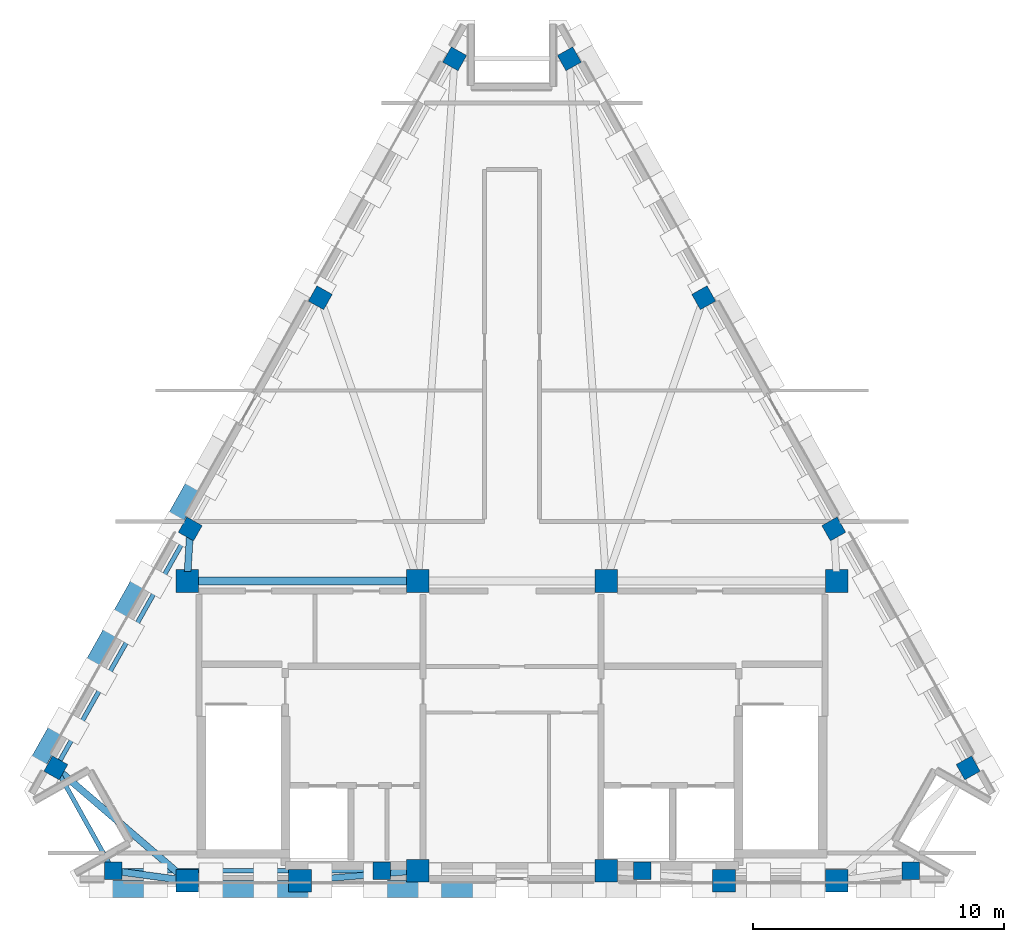
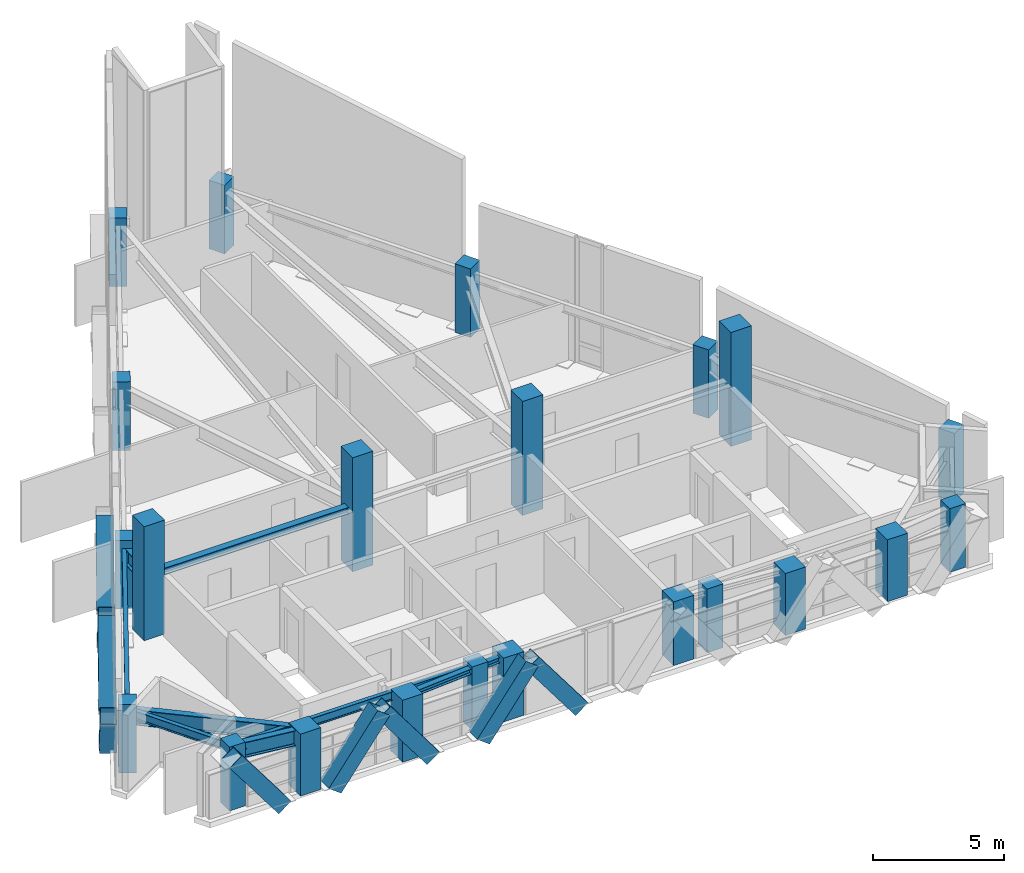
# One storey, part 1 of 7: 22 columns, 9 members, 8 beams.
"""IFC4 building model written with IfcOpenShell, lengths in metres."""

from ifc_helpers import new_model, si_unit, direction, frame, origin, origin_2d, place, context, subcontext, project, spatial, rectangle, hollow_rectangle, i_section, extrude, material, material_profile, profile_set, type_object, element, save


model = new_model("IFC4")

# Units and contexts
model_context = context("Model", 3, precision=1e-05, world=origin(), true_north=direction((0.0, 1.0)))
body_context = subcontext(model_context, "Body", "Model", "MODEL_VIEW")
ifc_project = project(units=[si_unit("LENGTHUNIT", "METRE"), si_unit("AREAUNIT", "SQUARE_METRE"), si_unit("VOLUMEUNIT", "CUBIC_METRE"), si_unit("PLANEANGLEUNIT", "RADIAN"), si_unit("MASSUNIT", "GRAM", prefix="KILO")], contexts=[model_context])

# Site, building, storey
site_placement = place(None, origin())
site = spatial("IfcSite", under=ifc_project, at=site_placement, CompositionType="ELEMENT")
building_placement = place(site_placement, origin())
building = spatial("IfcBuilding", under=site, at=building_placement, Name="Quenlor Broadcast Tower", CompositionType="ELEMENT")
storey_placement = place(building_placement, frame((0.0, 0.0, 286.89990234375)))
storey = spatial("IfcBuildingStorey", under=building, at=storey_placement, Name="L80", CompositionType="ELEMENT", Elevation=286.89990234375)

# Columns
ifc_material_1 = material(Name="Concrete C50/60", Category="concrete")
ifc_material_profile_1 = material_profile(ifc_material_1, rectangle(XDim=0.89990234375, YDim=0.89990234375, at=origin_2d()))
ifc_profile_set_1 = profile_set([ifc_material_profile_1], Name="Concrete C50/60 RC900x900")
column_type_1 = type_object("IfcColumnType", Name="Core Corner Column Upper Concrete C50/60 900", PredefinedType="COLUMN", material=ifc_profile_set_1)
for number, where, z_axis, x_axis, name in (
    (1, (-12.949951171875, -16.75, 0.0), (0.0, 0.0, 1.0), (1.0, 0.0, 0.0), "L80 Core Column CC1"),
    (2, (-8.449951171875, -16.75, 0.0), (0.0, 0.0, 1.0), (1.0, 0.0, 0.0), "L80 Core Column CC2"),
):
    element("IfcColumn", number, at=place(storey_placement, frame(where, z_axis=z_axis, x_axis=x_axis)), inside=storey, type_object=column_type_1, Name=name, PredefinedType="COLUMN", context=body_context, shape_type="SweptSolid", body=[
        extrude(rectangle(XDim=0.89990234375, YDim=0.89990234375, at=origin_2d()), origin(), (0.0, 0.0, 1.0), 2.89111328125),
    ])
for number, where, z_axis, x_axis, name in (
    (3, (-3.75, -16.35009765625, 0.0), (0.0, 0.0, 1.0), (1.0, 0.0, 0.0), "L80 Core Column CC3"),
    (4, (3.75, -16.35009765625, 0.0), (0.0, 0.0, 1.0), (1.0, 0.0, 0.0), "L80 Core Column CC4"),
):
    element("IfcColumn", number, at=place(storey_placement, frame(where, z_axis=z_axis, x_axis=x_axis)), inside=storey, type_object=column_type_1, Name=name, PredefinedType="COLUMN", context=body_context, shape_type="SweptSolid", body=[
        extrude(rectangle(XDim=0.89990234375, YDim=0.89990234375, at=origin_2d()), origin(), (0.0, 0.0, 1.0), 2.972412109375),
    ])
for number, where, z_axis, x_axis, name in (
    (5, (8.449951171875, -16.75, 0.0), (0.0, 0.0, 1.0), (1.0, 0.0, 0.0), "L80 Core Column CC5"),
    (6, (12.949951171875, -16.75, 0.0), (0.0, 0.0, 1.0), (1.0, 0.0, 0.0), "L80 Core Column CC6"),
):
    element("IfcColumn", number, at=place(storey_placement, frame(where, z_axis=z_axis, x_axis=x_axis)), inside=storey, type_object=column_type_1, Name=name, PredefinedType="COLUMN", context=body_context, shape_type="SweptSolid", body=[
        extrude(rectangle(XDim=0.89990234375, YDim=0.89990234375, at=origin_2d()), origin(), (0.0, 0.0, 1.0), 2.89111328125),
    ])
for number, where, z_axis, x_axis, name in (
    (7, (-12.949951171875, -4.800048828125, 0.0), (0.0, 0.0, 1.0), (1.0, 0.0, 0.0), "L80 Core Column CC7"),
    (8, (-3.75, -4.800048828125, 0.0), (0.0, 0.0, 1.0), (1.0, 0.0, 0.0), "L80 Core Column CC8"),
    (9, (3.75, -4.800048828125, 0.0), (0.0, 0.0, 1.0), (1.0, 0.0, 0.0), "L80 Core Column CC9"),
    (10, (12.949951171875, -4.800048828125, 0.0), (0.0, 0.0, 1.0), (1.0, 0.0, 0.0), "L80 Core Column CC10"),
):
    element("IfcColumn", number, at=place(storey_placement, frame(where, z_axis=z_axis, x_axis=x_axis)), inside=storey, type_object=column_type_1, Name=name, PredefinedType="COLUMN", context=body_context, shape_type="SweptSolid", body=[
        extrude(rectangle(XDim=0.89990234375, YDim=0.89990234375, at=origin_2d()), origin(), (0.0, 0.0, 1.0), 5.322265625),
    ])
ifc_material_2 = material(Name="Concrete C40/50", Category="concrete")
ifc_material_profile_2 = material_profile(ifc_material_2, rectangle(XDim=0.699951171875, YDim=0.699951171875, at=origin_2d()))
ifc_profile_set_2 = profile_set([ifc_material_profile_2], Name="Concrete C40/50 RC700x700")
column_type_2 = type_object("IfcColumnType", Name="Crown Frame Column Concrete C40/50 700", PredefinedType="COLUMN", material=ifc_profile_set_2)
for number, where, z_axis, x_axis, name in (
    (11, (-15.897705078125, -16.35009765625, 0.0), (0.0, 0.0, 1.0), (0.0, 1.0, 0.0), "L80 Perimeter Column S1"),
    (12, (-5.18408203125, -16.35009765625, 0.0), (0.0, 0.0, 1.0), (0.0, 1.0, 0.0), "L80 Perimeter Column S2"),
    (13, (5.18408203125, -16.35009765625, 0.0), (0.0, 0.0, 1.0), (0.0, 1.0, 0.0), "L80 Perimeter Column S3"),
    (14, (15.897705078125, -16.35009765625, 0.0), (0.0, 0.0, 1.0), (0.0, 1.0, 0.0), "L80 Perimeter Column S4"),
):
    element("IfcColumn", number, at=place(storey_placement, frame(where, z_axis=z_axis, x_axis=x_axis)), inside=storey, type_object=column_type_2, Name=name, PredefinedType="COLUMN", context=body_context, shape_type="SweptSolid", body=[
        extrude(rectangle(XDim=0.699951171875, YDim=0.699951171875, at=origin_2d()), origin(), (0.0, 0.0, 1.0), 2.972412109375),
    ])
for number, where, z_axis, x_axis, name in (
    (15, (18.182373046875, -12.25, 0.0), (0.0, 0.0, 1.0), (0.871575139605, 0.490261946333, 0.0), "L80 Perimeter Column NE1"),
    (16, (12.825439453125, -2.726806640625, 0.0), (0.0, 0.0, 1.0), (0.871575139605, 0.490261946333, 0.0), "L80 Perimeter Column NE2"),
    (17, (7.6416015625, 6.4892578125, 0.0), (0.0, 0.0, 1.0), (0.871575139605, 0.490261946333, 0.0), "L80 Perimeter Column NE3"),
    (18, (2.28466796875, 16.012451171875, 0.0), (0.0, 0.0, 1.0), (0.871575139605, 0.490261946333, 0.0), "L80 Perimeter Column NE4"),
    (19, (-2.28466796875, 16.012451171875, 0.0), (0.0, 0.0, 1.0), (-0.871575139605, 0.490261946333, 0.0), "L80 Perimeter Column NW1"),
    (20, (-7.6416015625, 6.4892578125, 0.0), (0.0, 0.0, 1.0), (-0.871575139605, 0.490261946333, 0.0), "L80 Perimeter Column NW2"),
    (21, (-12.825439453125, -2.726806640625, 0.0), (0.0, 0.0, 1.0), (-0.871575139605, 0.490261946333, 0.0), "L80 Perimeter Column NW3"),
    (22, (-18.182373046875, -12.25, 0.0), (0.0, 0.0, 1.0), (-0.871575139605, 0.490261946333, 0.0), "L80 Perimeter Column NW4"),
):
    element("IfcColumn", number, at=place(storey_placement, frame(where, z_axis=z_axis, x_axis=x_axis)), inside=storey, type_object=column_type_2, Name=name, PredefinedType="COLUMN", context=body_context, shape_type="SweptSolid", body=[
        extrude(rectangle(XDim=0.699951171875, YDim=0.699951171875, at=origin_2d()), origin(), (0.0, 0.0, 1.0), 3.2001953125),
    ])

# Beams
ifc_material_3 = material(Name="Steel S355", Category="steel")
ifc_material_profile_3 = material_profile(ifc_material_3, i_section(OverallWidth=0.25390625, OverallDepth=0.25390625, WebThickness=0.008544921875, FlangeThickness=0.01416015625, FilletRadius=0.013916015625, at=origin_2d()))
ifc_profile_set_3 = profile_set([ifc_material_profile_3], Name="Steel S355 250UC72.9")
beam_type_1 = type_object("IfcBeamType", Name="Core Opening Lintel Beam Steel S355 250UC72.9", PredefinedType="LINTEL", material=ifc_profile_set_3)
beam_1_placement = place(storey_placement, frame((-8.09130859375, -16.719482421875, 2.706298828125), z_axis=(0.996399763903, 0.084779186679, 0.0), x_axis=(-0.084779186679, 0.996399763903, 0.0)))
element("IfcBeam", 23, at=beam_1_placement, inside=storey, type_object=beam_type_1, Name="L80 Core Opening Lintel Beam 4", PredefinedType="LINTEL", context=body_context, shape_type="SweptSolid", body=[
    extrude(i_section(OverallWidth=0.25390625, OverallDepth=0.25390625, WebThickness=0.008544921875, FlangeThickness=0.01416015625, FilletRadius=0.013916015625, at=origin_2d()), origin(), (0.0, 0.0, 1.0), 3.9970703125),
])
ifc_material_4 = material(Name="Steel S355", Category="steel")
ifc_material_profile_4 = material_profile(ifc_material_4, i_section(OverallWidth=0.306884765625, OverallDepth=0.314697265625, WebThickness=0.011962890625, FlangeThickness=0.018798828125, FilletRadius=0.0166015625, at=origin_2d()))
ifc_profile_set_4 = profile_set([ifc_material_profile_4], Name="Steel S355 310UC118")
beam_type_2 = type_object("IfcBeamType", Name="Core Tie Beam Steel S355 310UC118", PredefinedType="BEAM", material=ifc_profile_set_4)
beam_2_placement = place(storey_placement, frame((-12.590087890625, -4.800048828125, 2.67578125), z_axis=(1.0, 0.0, 0.0), x_axis=(0.0, 1.0, 0.0)))
element("IfcBeam", 24, at=beam_2_placement, inside=storey, type_object=beam_type_2, Name="L80 Core Tie Beam 1", PredefinedType="BEAM", context=body_context, shape_type="SweptSolid", body=[
    extrude(i_section(OverallWidth=0.306884765625, OverallDepth=0.314697265625, WebThickness=0.011962890625, FlangeThickness=0.018798828125, FilletRadius=0.0166015625, at=origin_2d()), origin(), (0.0, 0.0, 1.0), 8.47998046875),
])
ifc_material_5 = material(Name="Steel S355", Category="steel")
ifc_material_profile_5 = material_profile(ifc_material_5, i_section(OverallWidth=0.27490234375, OverallDepth=0.716064453125, WebThickness=0.013916015625, FlangeThickness=0.02490234375, FilletRadius=0.013916015625, at=origin_2d()))
ifc_profile_set_5 = profile_set([ifc_material_profile_5], Name="Steel S355 700WB173")
beam_type_3 = type_object("IfcBeamType", Name="Crown Plant Ring Girder Steel S355 700WB173", PredefinedType="BEAM", material=ifc_profile_set_5)
beam_3_placement = place(storey_placement, frame((-15.59033203125, -16.3916015625, 2.47509765625), z_axis=(0.990908681621, -0.134536183561, 0.0), x_axis=(0.134536183561, 0.990908681621, 0.0)))
element("IfcBeam", 25, at=beam_3_placement, inside=storey, type_object=beam_type_3, Name="L80 Primary Radial Beam S1", PredefinedType="BEAM", context=body_context, shape_type="SweptSolid", body=[
    extrude(i_section(OverallWidth=0.27490234375, OverallDepth=0.716064453125, WebThickness=0.013916015625, FlangeThickness=0.02490234375, FilletRadius=0.013916015625, at=origin_2d()), origin(), (0.0, 0.0, 1.0), 2.28466796875),
])
beam_4_placement = place(storey_placement, frame((-12.843994140625, -3.0361328125, 2.47509765625), z_axis=(-0.060022076178, -0.998197049871, 0.0), x_axis=(0.998197049871, -0.060022076178, 0.0)))
element("IfcBeam", 26, at=beam_4_placement, inside=storey, type_object=beam_type_3, Name="L80 Primary Radial Beam NW3", PredefinedType="BEAM", context=body_context, shape_type="SweptSolid", body=[
    extrude(i_section(OverallWidth=0.27490234375, OverallDepth=0.716064453125, WebThickness=0.013916015625, FlangeThickness=0.02490234375, FilletRadius=0.013916015625, at=origin_2d()), origin(), (0.0, 0.0, 1.0), 1.386962890625),
])
beam_5_placement = place(storey_placement, frame((-17.947265625, -12.451904296875, 2.47509765625), z_axis=(0.758156826123, -0.652072255968, 0.0), x_axis=(0.652072255968, 0.758156826123, 0.0)))
element("IfcBeam", 27, at=beam_5_placement, inside=storey, type_object=beam_type_3, Name="L80 Primary Radial Beam NW4", PredefinedType="BEAM", context=body_context, shape_type="SweptSolid", body=[
    extrude(i_section(OverallWidth=0.27490234375, OverallDepth=0.716064453125, WebThickness=0.013916015625, FlangeThickness=0.02490234375, FilletRadius=0.013916015625, at=origin_2d()), origin(), (0.0, 0.0, 1.0), 6.21142578125),
])

# Members
ifc_material_6 = material(Name="Steel S355", Category="steel")
ifc_material_profile_6 = material_profile(ifc_material_6, hollow_rectangle(XDim=0.679931640625, YDim=0.679931640625, WallThickness=0.02001953125, at=origin_2d()))
ifc_profile_set_6 = profile_set([ifc_material_profile_6], Name="Steel S355 RHS680x680x20")
member_type = type_object("IfcMemberType", Name="Perimeter Diagonal Lattice Brace Z5-Crown Steel S355 RHS680x20", PredefinedType="BRACE", material=ifc_profile_set_6)
for number, where, z_axis, x_axis, name in (
    (28, (-1.10498046875, -17.070068359375, -0.119873046875), (-0.598871988203, 0.0, 0.800844767571), (0.0, -1.0, 0.0), "L80 Perimeter Diamond Lattice S-C3S"),
    (29, (-7.656982421875, -17.070068359375, -0.119873046875), (-0.598871988203, 0.0, 0.800844767571), (0.0, -1.0, 0.0), "L80 Perimeter Diamond Lattice S-C4S"),
    (30, (-5.447021484375, -17.070068359375, -0.119873046875), (0.598871988203, 0.0, 0.800844767571), (0.0, 1.0, 0.0), "L80 Perimeter Diamond Lattice S-C4B"),
    (31, (-14.208984375, -17.070068359375, -0.119873046875), (-0.598871988203, 0.0, 0.800844767571), (0.0, -1.0, 0.0), "L80 Perimeter Diamond Lattice S-C5S"),
    (32, (-11.998779296875, -17.070068359375, -0.119873046875), (0.598828531779, 0.0, 0.800877262461), (0.0, 1.0, 0.0), "L80 Perimeter Diamond Lattice S-C5B"),
):
    element("IfcMember", number, at=place(storey_placement, frame(where, z_axis=z_axis, x_axis=x_axis)), inside=storey, type_object=member_type, Name=name, PredefinedType="BRACE", context=body_context, shape_type="SweptSolid", body=[
        extrude(hollow_rectangle(XDim=0.679931640625, YDim=0.679931640625, WallThickness=0.02001953125, at=origin_2d()), origin(), (0.0, 0.0, 1.0), 3.603271484375),
    ])
member_placement = place(storey_placement, frame((-16.86669921875, -8.442626953125, -0.119873046875), z_axis=(0.296967437135, 0.528001791913, 0.795628335983), x_axis=(-0.871599215793, 0.490219141843, 0.0)))
element("IfcMember", 33, at=member_placement, inside=storey, type_object=member_type, Name="L80 Perimeter Diamond Lattice NW-C1S", PredefinedType="BRACE", context=body_context, shape_type="SweptSolid", body=[
    extrude(hollow_rectangle(XDim=0.679931640625, YDim=0.679931640625, WallThickness=0.02001953125, at=origin_2d()), origin(), (0.0, 0.0, 1.0), 3.63623046875),
])
for number, where, z_axis, x_axis, name in (
    (34, (-17.97314453125, -10.409423828125, -0.119873046875), (-0.297018126115, -0.528039683972, 0.795584266379), (0.871578496623, -0.490255978266, 0.0), "L80 Perimeter Diamond Lattice NW-C1B"),
    (35, (-13.58740234375, -2.612548828125, -0.119873046875), (0.297018126115, 0.528039683972, 0.795584266379), (-0.871578496623, 0.490255978266, 0.0), "L80 Perimeter Diamond Lattice NW-C2S"),
    (36, (-14.693603515625, -4.5791015625, -0.119873046875), (-0.297018126115, -0.528039683972, 0.795584266379), (0.871578496623, -0.490255978266, 0.0), "L80 Perimeter Diamond Lattice NW-C2B"),
):
    element("IfcMember", number, at=place(storey_placement, frame(where, z_axis=z_axis, x_axis=x_axis)), inside=storey, type_object=member_type, Name=name, PredefinedType="BRACE", context=body_context, shape_type="SweptSolid", body=[
        extrude(hollow_rectangle(XDim=0.679931640625, YDim=0.679931640625, WallThickness=0.02001953125, at=origin_2d()), origin(), (0.0, 0.0, 1.0), 3.636474609375),
    ])

# Beams
ifc_material_7 = material(Name="Steel S355", Category="steel")
ifc_material_profile_7 = material_profile(ifc_material_7, i_section(OverallWidth=0.177978515625, OverallDepth=0.406494140625, WebThickness=0.0078125, FlangeThickness=0.0126953125, FilletRadius=0.011474609375, at=origin_2d()))
ifc_profile_set_7 = profile_set([ifc_material_profile_7], Name="Steel S355 410UB59.7")
beam_type_4 = type_object("IfcBeamType", Name="Perimeter Spandrel Beam Z5 Steel S355 410UB59.7", PredefinedType="SPANDREL", material=ifc_profile_set_7)
beam_6_placement = place(storey_placement, frame((-15.587646484375, -16.35009765625, 2.6298828125), z_axis=(1.0, 0.0, 0.0), x_axis=(0.0, 1.0, 0.0)))
element("IfcBeam", 37, at=beam_6_placement, inside=storey, type_object=beam_type_4, Name="L80 Spandrel Beam S1-S2", PredefinedType="SPANDREL", context=body_context, shape_type="SweptSolid", body=[
    extrude(i_section(OverallWidth=0.177978515625, OverallDepth=0.406494140625, WebThickness=0.0078125, FlangeThickness=0.0126953125, FilletRadius=0.011474609375, at=origin_2d()), origin(), (0.0, 0.0, 1.0), 10.09375),
])
beam_7_placement = place(storey_placement, frame((-12.9775390625, -2.996826171875, 2.6298828125), z_axis=(-0.490249992991, -0.871581863265, 0.0), x_axis=(0.871581863265, -0.490249992991, 0.0)))
element("IfcBeam", 38, at=beam_7_placement, inside=storey, type_object=beam_type_4, Name="L80 Spandrel Beam NW3-NW4", PredefinedType="SPANDREL", context=body_context, shape_type="SweptSolid", body=[
    extrude(i_section(OverallWidth=0.177978515625, OverallDepth=0.406494140625, WebThickness=0.0078125, FlangeThickness=0.0126953125, FilletRadius=0.011474609375, at=origin_2d()), origin(), (0.0, 0.0, 1.0), 10.306396484375),
])
beam_8_placement = place(storey_placement, frame((-18.031494140625, -12.520751953125, 2.6298828125), z_axis=(0.486777294572, -0.873526110365, 0.0), x_axis=(0.873526110365, 0.486777294572, 0.0)))
element("IfcBeam", 39, at=beam_8_placement, inside=storey, type_object=beam_type_4, Name="L80 Spandrel Beam NW4-S1", PredefinedType="SPANDREL", context=body_context, shape_type="SweptSolid", body=[
    extrude(i_section(OverallWidth=0.177978515625, OverallDepth=0.406494140625, WebThickness=0.0078125, FlangeThickness=0.0126953125, FilletRadius=0.011474609375, at=origin_2d()), origin(), (0.0, 0.0, 1.0), 4.073486328125),
])

save(model, "model.ifc")
